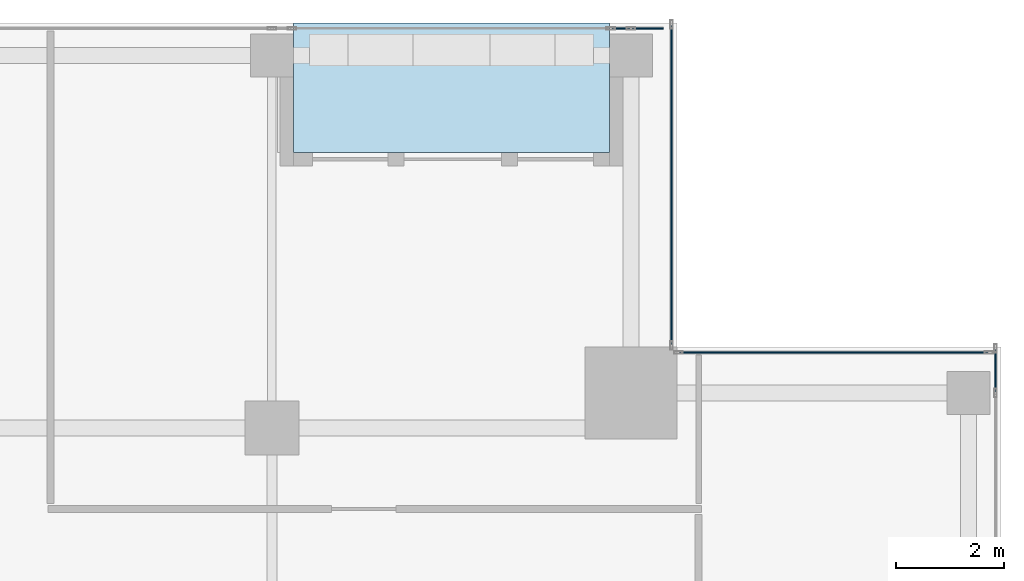
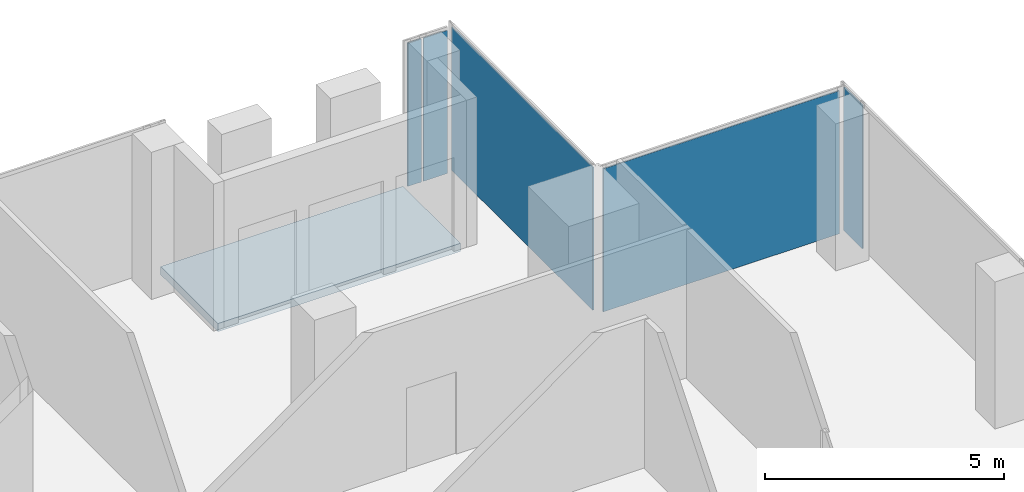
# One storey, part 24 of 29: 5 plates, 1 slab, 4 elements without a shape of their own.
"""IFC4 building model written with IfcOpenShell, lengths in metres."""

from ifc_helpers import new_model, si_unit, direction, frame, origin, origin_2d, place, context, subcontext, project, spatial, polyline, rectangle, outline, extrude, source, transform, mapped, material, layer, layer_set, type_object, element, aggregate, save


model = new_model("IFC4")

# Units and contexts
model_context = context("Model", 3, precision=1e-05, world=origin(), true_north=direction((0.0, 1.0)))
body_context = subcontext(model_context, "Body", "Model", "MODEL_VIEW")
ifc_project = project(units=[si_unit("LENGTHUNIT", "METRE"), si_unit("AREAUNIT", "SQUARE_METRE"), si_unit("VOLUMEUNIT", "CUBIC_METRE"), si_unit("PLANEANGLEUNIT", "RADIAN"), si_unit("MASSUNIT", "GRAM", prefix="KILO")], contexts=[model_context])

# Site, building, storey
site_placement = place(None, origin())
site = spatial("IfcSite", under=ifc_project, at=site_placement, CompositionType="ELEMENT")
building_placement = place(site_placement, origin())
building = spatial("IfcBuilding", under=site, at=building_placement, Name="Khomas Fold Tower", CompositionType="ELEMENT")
storey_placement = place(building_placement, frame((0.0, 0.0, 326.199951171875)))
storey = spatial("IfcBuildingStorey", under=building, at=storey_placement, Name="L74", CompositionType="ELEMENT", Elevation=326.199951171875)

# Curtain wall, plate
ifc_material_1 = material(Name="Aluminium framed double glazing", Category="aluminium")
curtain_wall_type = type_object("IfcCurtainWallType", Name="SK-Unitised clear-glass wall, upper floors CW3", PredefinedType="NOTDEFINED", material=ifc_material_1)
curtain_wall_1_placement = place(storey_placement, origin())
curtain_wall_1 = element("IfcCurtainWall", 1, at=curtain_wall_1_placement, inside=storey, type_object=curtain_wall_type, Name="CW3 run L74 06-0", PredefinedType="NOTDEFINED")
ifc_material_2 = material(Name="Clear double glazed unit")
ifc_layer_1 = layer(ifc_material_2, 0.028076171875)
ifc_layer_set_1 = layer_set([ifc_layer_1], Name="Clear double glazed unit")
plate_type = type_object("IfcPlateType", Name="SK-Unitised clear-glass wall, upper floors glass panel CW3-P", PredefinedType="CURTAIN_PANEL", material=ifc_layer_set_1)
shared_shape_1 = source(origin(), body_context, "Body", "SweptSolid", [
    extrude(rectangle(XDim=0.574951171875, YDim=0.028076171875, at=origin_2d()), origin(), (0.0, 0.0, 1.0), 3.64990234375),
])
plate_1_placement = place(storey_placement, frame((41.46240234375, 47.89990234375, 0.0), z_axis=(0.0, 0.0, 1.0), x_axis=(-1.0, 0.0, 0.0)))
plate_1 = element("IfcPlate", 2, at=plate_1_placement, type_object=plate_type, Name="CW3 glass panel 1", PredefinedType="CURTAIN_PANEL", context=body_context, shape_type="MappedRepresentation", body=[
    mapped(shared_shape_1, transform((0.0, 0.0, 0.0))),
])

curtain_wall_2_placement = place(storey_placement, origin())
curtain_wall_2 = element("IfcCurtainWall", 3, at=curtain_wall_2_placement, inside=storey, type_object=curtain_wall_type, Name="CW3 run L74 03-1", PredefinedType="NOTDEFINED")
shared_shape_2 = source(origin(), body_context, "Body", "SweptSolid", [
    extrude(rectangle(XDim=0.77490234375, YDim=0.028076171875, at=origin_2d()), origin(), (0.0, 0.0, 1.0), 3.64990234375),
])
plate_2_placement = place(storey_placement, frame((47.89990234375, 41.5625, 0.0), z_axis=(0.0, 0.0, 1.0), x_axis=(0.0, 1.0, 0.0)))
plate_2 = element("IfcPlate", 4, at=plate_2_placement, type_object=plate_type, Name="CW3 glass panel 4", PredefinedType="CURTAIN_PANEL", context=body_context, shape_type="MappedRepresentation", body=[
    mapped(shared_shape_2, transform((0.0, 0.0, 0.0))),
])
aggregate(curtain_wall_2, [plate_2])

curtain_wall_3_placement = place(storey_placement, origin())
curtain_wall_3 = element("IfcCurtainWall", 5, at=curtain_wall_3_placement, inside=storey, type_object=curtain_wall_type, Name="CW3 corner return L74 04", PredefinedType="NOTDEFINED")
shared_shape_3 = source(origin(), body_context, "Body", "SweptSolid", [
    extrude(rectangle(XDim=5.699951171875, YDim=0.028076171875, at=origin_2d()), origin(), (0.0, 0.0, 1.0), 3.64990234375),
])
plate_3_placement = place(storey_placement, frame((44.89990234375, 41.89990234375, 0.0), z_axis=(0.0, 0.0, 1.0), x_axis=(-1.0, 0.0, 0.0)))
plate_3 = element("IfcPlate", 6, at=plate_3_placement, type_object=plate_type, Name="CW3 glass panel 1", PredefinedType="CURTAIN_PANEL", context=body_context, shape_type="MappedRepresentation", body=[
    mapped(shared_shape_3, transform((0.0, 0.0, 0.0))),
])
aggregate(curtain_wall_3, [plate_3])

curtain_wall_4_placement = place(storey_placement, origin())
curtain_wall_4 = element("IfcCurtainWall", 7, at=curtain_wall_4_placement, inside=storey, type_object=curtain_wall_type, Name="CW3 corner return L74 05", PredefinedType="NOTDEFINED")
shared_shape_4 = source(origin(), body_context, "Body", "SweptSolid", [
    extrude(rectangle(XDim=5.89990234375, YDim=0.028076171875, at=origin_2d()), origin(), (0.0, 0.0, 1.0), 3.64990234375),
])
plate_4_placement = place(storey_placement, frame((41.89990234375, 45.0, 0.0), z_axis=(0.0, 0.0, 1.0), x_axis=(0.0, 1.0, 0.0)))
plate_4 = element("IfcPlate", 8, at=plate_4_placement, type_object=plate_type, Name="CW3 glass panel 1", PredefinedType="CURTAIN_PANEL", context=body_context, shape_type="MappedRepresentation", body=[
    mapped(shared_shape_4, transform((0.0, 0.0, 0.0))),
])
aggregate(curtain_wall_4, [plate_4])

# Plate
shared_shape_5 = source(origin(), body_context, "Body", "SweptSolid", [
    extrude(rectangle(XDim=0.324951171875, YDim=0.028076171875, at=origin_2d()), origin(), (0.0, 0.0, 1.0), 3.64990234375),
])
plate_5_placement = place(storey_placement, frame((40.96240234375, 47.89990234375, 0.0), z_axis=(0.0, 0.0, 1.0), x_axis=(-1.0, 0.0, 0.0)))
plate_5 = element("IfcPlate", 9, at=plate_5_placement, type_object=plate_type, Name="CW3 glass panel 2", PredefinedType="CURTAIN_PANEL", context=body_context, shape_type="MappedRepresentation", body=[
    mapped(shared_shape_5, transform((0.0, 0.0, 0.0))),
])

aggregate(curtain_wall_1, [plate_1, plate_5])

# Slab
ifc_material_3 = material(Name="Concrete C40/50", Category="concrete")
ifc_layer_2 = layer(ifc_material_3, 0.205078125)
ifc_layer_set_2 = layer_set([ifc_layer_2], Name="Concrete C40/50")
slab_type = type_object("IfcSlabType", Name="BL-Balcony deck 205", PredefinedType="FLOOR", material=ifc_layer_set_2)
shared_shape_6 = source(origin(), body_context, "Body", "SweptSolid", [
    extrude(outline(polyline([(34.89990234375, 45.60009765625), (40.75, 45.60009765625), (40.75, 48.0), (34.89990234375, 48.0), (34.89990234375, 45.60009765625)])), origin(), (0.0, 0.0, 1.0), 0.205078125),
])
slab_placement = place(storey_placement, frame((0.0, 0.0, -0.25)))
element("IfcSlab", 10, at=slab_placement, inside=storey, type_object=slab_type, Name="Balcony deck BAL-L74-N4", PredefinedType="FLOOR", context=body_context, shape_type="MappedRepresentation", body=[
    mapped(shared_shape_6, transform((0.0, 0.0, 0.0))),
])

save(model, "model.ifc")
